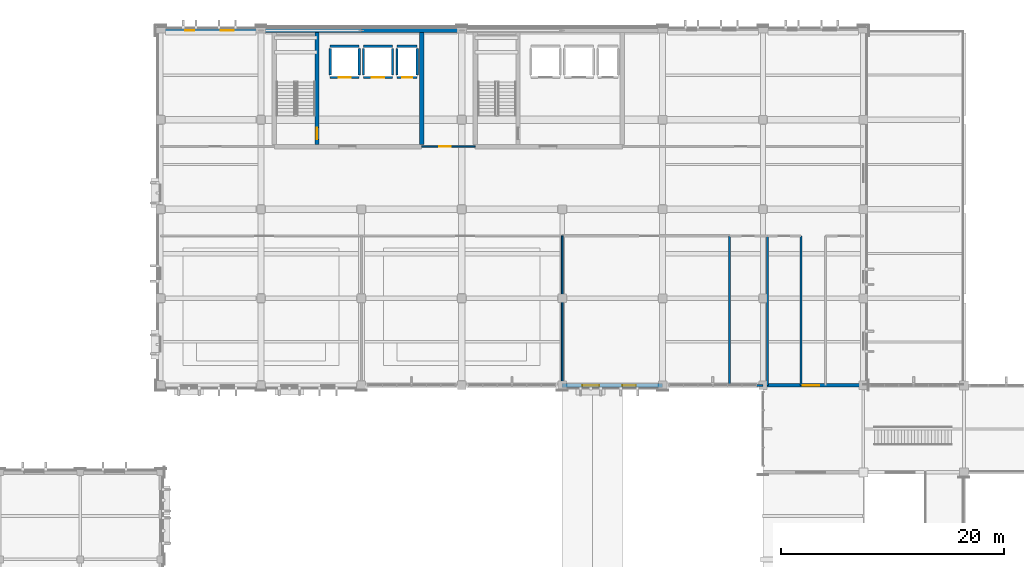
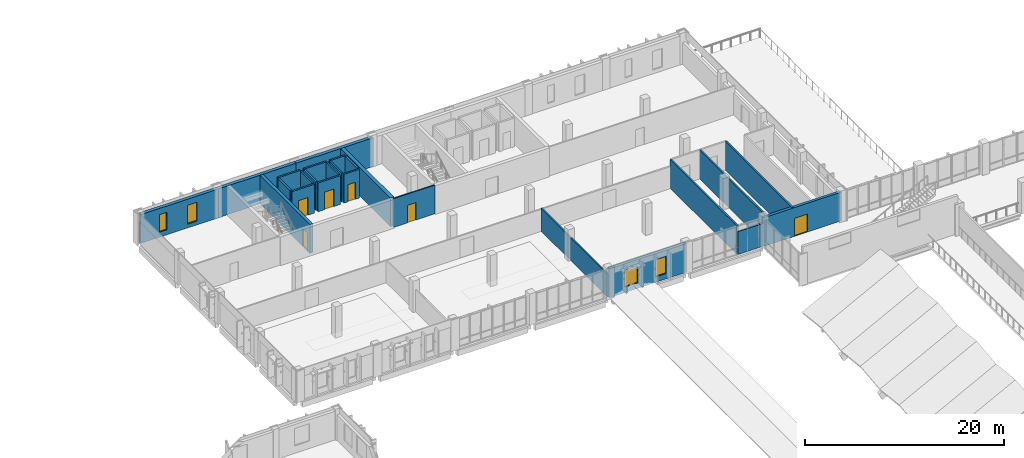
# One storey, part 43 of 64: 25 walls, 6 doors, 4 windows, 10 openings.
"""IFC4 building model written with IfcOpenShell, lengths in metres."""

from ifc_helpers import new_model, si_unit, direction, frame, frame_2d, origin, place, context, subcontext, project, spatial, rectangle, extrude, material, layer, layer_set, type_object, element, fill, save


model = new_model("IFC4")

# Units and contexts
model_context = context("Model", 3, precision=1e-05, world=origin(), true_north=direction((0.0, 1.0)))
body_context = subcontext(model_context, "Body", "Model", "MODEL_VIEW")
ifc_project = project(units=[si_unit("LENGTHUNIT", "METRE"), si_unit("AREAUNIT", "SQUARE_METRE"), si_unit("VOLUMEUNIT", "CUBIC_METRE"), si_unit("PLANEANGLEUNIT", "RADIAN"), si_unit("MASSUNIT", "GRAM", prefix="KILO")], contexts=[model_context])

# Site, building, storey
site_placement = place(None, origin())
site = spatial("IfcSite", under=ifc_project, at=site_placement, CompositionType="ELEMENT")
building_placement = place(site_placement, origin())
building = spatial("IfcBuilding", under=site, at=building_placement, Name="Vervanel Yard Central Library", CompositionType="ELEMENT")
storey_placement = place(building_placement, frame((0.0, 0.0, 8.93994140625)))
storey = spatial("IfcBuildingStorey", under=building, at=storey_placement, Name="L02", CompositionType="ELEMENT", Elevation=8.93994140625)

# Walls
ifc_material_1 = material(Name="Fire-rated gypsum board on steel studs", Category="steel")
ifc_layer_1 = layer(ifc_material_1, 0.159912109375, Category="steel")
ifc_layer_set_1 = layer_set([ifc_layer_1], Name="Fire-rated gypsum board on steel studs")
wall_type_1 = type_object("IfcWallType", Name="Acoustic Glazed Partition 160", PredefinedType="PARTITIONING", material=ifc_layer_set_1)
wall_1_placement = place(storey_placement, frame((72.0, 82.199951171875, 0.0), z_axis=(0.0, 0.0, 1.0), x_axis=(0.0, 1.0, 0.0)))
element("IfcWall", 1, at=wall_1_placement, inside=storey, type_object=wall_type_1, Name="L02 Acoustic Glazed Partition 160 IPART-L02-0075", PredefinedType="PARTITIONING", context=body_context, shape_type="SweptSolid", body=[
    extrude(rectangle(XDim=13.400146484375, YDim=0.159912109375, at=frame_2d((6.7001953125, 0.0))), origin(), (0.0, 0.0, 1.0), 2.80517578125),
])
ifc_material_2 = material(Name="Concrete C45/55", Category="concrete")
ifc_layer_2 = layer(ifc_material_2, 0.39990234375, Category="concrete")
ifc_layer_set_2 = layer_set([ifc_layer_2], Name="Concrete C45/55")
wall_type_2 = type_object("IfcWallType", Name="Core Primary Shear Wall 400", PredefinedType="SHEAR", material=ifc_layer_set_2)
wall_2_placement = place(storey_placement, frame((59.39990234375, 103.800048828125, 0.0), z_axis=(0.0, 0.0, 1.0), x_axis=(0.0, 1.0, 0.0)))
element("IfcWall", 2, at=wall_2_placement, inside=storey, type_object=wall_type_2, Name="L02 CORE-A Shear Wall E", PredefinedType="SHEAR", context=body_context, shape_type="SweptSolid", body=[
    extrude(rectangle(XDim=10.010009765625, YDim=0.39990234375, at=frame_2d((5.0048828125, 0.0))), origin(), (0.0, 0.0, 1.0), 3.530029296875),
])

# Wall, opening, door
ifc_layer_3 = layer(ifc_material_2, 0.35009765625, Category="concrete")
ifc_layer_set_3 = layer_set([ifc_layer_3], Name="Concrete C45/55")
wall_type_3 = type_object("IfcWallType", Name="Core Secondary Shear Wall 350", PredefinedType="SHEAR", material=ifc_layer_set_3)
wall_3_placement = place(storey_placement, frame((50.02490234375, 103.800048828125, 0.0), z_axis=(0.0, 0.0, 1.0), x_axis=(0.0, 1.0, 0.0)))
wall_3 = element("IfcWall", 3, at=wall_3_placement, inside=storey, type_object=wall_type_3, Name="L02 CORE-A Stair Shaft Wall", PredefinedType="SHEAR", context=body_context, shape_type="SweptSolid", body=[
    extrude(rectangle(XDim=10.010009765625, YDim=0.35009765625, at=frame_2d((5.0048828125, 0.0))), origin(), (0.0, 0.0, 1.0), 3.530029296875),
])
opening_1_placement = place(wall_3_placement, frame((0.449951171875, 0.0, 0.0)))
opening_1 = element("IfcOpeningElement", 4, at=opening_1_placement, cuts=wall_3, Name="Opening DR-F01", PredefinedType="OPENING", context=body_context, shape_type="SweptSolid", body=[
    extrude(rectangle(XDim=1.050048828125, YDim=2.199951171875, at=frame_2d((0.52490234375, 1.10009765625))), frame((0.0, 0.18505859375, 0.0), z_axis=(0.0, -1.0, 0.0), x_axis=(1.0, 0.0, 0.0)), (0.0, 0.0, 1.0), 0.3701171875),
])
ifc_material_3 = material(Name="Galvanized painted steelwork ASTM A500 Grade C", Category="steel")
door_type_1 = type_object("IfcDoorType", Name="Fire-Rated Stair Exit Door 1050x2200", OperationType="NOTDEFINED", PredefinedType="DOOR", material=ifc_material_3)
door_1_placement = place(opening_1_placement, origin())
door_1 = element("IfcDoor", 5, at=door_1_placement, inside=storey, type_object=door_type_1, Name="L02 CORE-A Stair Door", OperationType="SINGLE_SWING_LEFT", OverallHeight=2.199951171875, OverallWidth=1.050048828125, PredefinedType="DOOR", context=body_context, shape_type="SweptSolid", body=[
    extrude(rectangle(XDim=1.050048828125, YDim=2.199951171875, at=frame_2d((0.52490234375, 1.10009765625))), frame((0.0, 0.02490234375, 0.0), z_axis=(0.0, -1.0, 0.0), x_axis=(1.0, 0.0, 0.0)), (0.0, 0.0, 1.0), 0.050048828125),
])
fill(opening_1, door_1)

# Wall, openings, windows
ifc_layer_4 = layer(ifc_material_2, 0.340087890625, Category="concrete")
ifc_layer_set_4 = layer_set([ifc_layer_4], Name="Concrete C45/55")
wall_type_4 = type_object("IfcWallType", Name="Exterior Bearing Concrete Frame Wall 340", PredefinedType="SOLIDWALL", material=ifc_layer_set_4)
wall_4_placement = place(storey_placement, frame((72.0, 82.199951171875, 0.0), z_axis=(0.0, 0.0, 1.0), x_axis=(1.0, 0.0, 0.0)))
wall_4 = element("IfcWall", 6, at=wall_4_placement, inside=storey, type_object=wall_type_4, Name="L02 Exterior Bearing Concrete Frame Wall 340 EWALL-L02-0041", PredefinedType="SOLIDWALL", context=body_context, shape_type="SweptSolid", body=[
    extrude(rectangle(XDim=9.0, YDim=0.340087890625, at=frame_2d((4.5, 0.0))), origin(), (0.0, 0.0, 1.0), 3.530029296875),
])
opening_2_placement = place(wall_4_placement, frame((1.800048828125, 0.0, 0.6650390625)))
opening_2 = element("IfcOpeningElement", 7, at=opening_2_placement, cuts=wall_4, Name="Opening WN-02", PredefinedType="OPENING", context=body_context, shape_type="SweptSolid", body=[
    extrude(rectangle(XDim=1.5, YDim=2.10009765625, at=frame_2d((0.75, 1.050048828125))), frame((0.0, 0.179931640625, 0.0), z_axis=(0.0, -1.0, 0.0), x_axis=(1.0, 0.0, 0.0)), (0.0, 0.0, 1.0), 0.360107421875),
])
opening_3_placement = place(wall_4_placement, frame((5.39990234375, 0.0, 0.6650390625)))
opening_3 = element("IfcOpeningElement", 8, at=opening_3_placement, cuts=wall_4, Name="Opening WN-01", PredefinedType="OPENING", context=body_context, shape_type="SweptSolid", body=[
    extrude(rectangle(XDim=1.199951171875, YDim=2.10009765625, at=frame_2d((0.60009765625, 1.050048828125))), frame((0.0, 0.179931640625, 0.0), z_axis=(0.0, -1.0, 0.0), x_axis=(1.0, 0.0, 0.0)), (0.0, 0.0, 1.0), 0.360107421875),
])
ifc_material_4 = material(Name="Double low-E laminated solar-control glass", Category="glass")
window_type_1 = type_object("IfcWindowType", Name="Reading Bay Window 1500x2100", PartitioningType="SINGLE_PANEL", PredefinedType="WINDOW", material=ifc_material_4)
window_1_placement = place(opening_2_placement, origin())
window_1 = element("IfcWindow", 9, at=window_1_placement, inside=storey, type_object=window_type_1, Name="L02 Reading Bay Window 1500x2100 55", OverallHeight=2.10009765625, OverallWidth=1.5, PartitioningType="SINGLE_PANEL", PredefinedType="WINDOW", context=body_context, shape_type="SweptSolid", body=[
    extrude(rectangle(XDim=1.5, YDim=2.10009765625, at=frame_2d((0.75, 1.050048828125))), frame((0.0, 0.030029296875, 0.0), z_axis=(0.0, -1.0, 0.0), x_axis=(1.0, 0.0, 0.0)), (0.0, 0.0, 1.0), 0.06005859375),
])
fill(opening_2, window_1)
window_type_2 = type_object("IfcWindowType", Name="Reading Slot Window 1200x2100", PartitioningType="SINGLE_PANEL", PredefinedType="WINDOW", material=ifc_material_4)
window_2_placement = place(opening_3_placement, origin())
window_2 = element("IfcWindow", 10, at=window_2_placement, inside=storey, type_object=window_type_2, Name="L02 Reading Slot Window 1200x2100 56", OverallHeight=2.10009765625, OverallWidth=1.199951171875, PartitioningType="SINGLE_PANEL", PredefinedType="WINDOW", context=body_context, shape_type="SweptSolid", body=[
    extrude(rectangle(XDim=1.199951171875, YDim=2.10009765625, at=frame_2d((0.60009765625, 1.050048828125))), frame((0.0, 0.030029296875, 0.0), z_axis=(0.0, -1.0, 0.0), x_axis=(1.0, 0.0, 0.0)), (0.0, 0.0, 1.0), 0.06005859375),
])
fill(opening_3, window_2)

ifc_layer_5 = layer(ifc_material_2, 0.3798828125, Category="concrete")
ifc_layer_set_5 = layer_set([ifc_layer_5], Name="Concrete C45/55")
wall_type_5 = type_object("IfcWallType", Name="Exterior Bearing Concrete Spine Wall 380", PredefinedType="SOLIDWALL", material=ifc_layer_set_5)
wall_5_placement = place(storey_placement, frame((36.0, 114.0, 0.0), z_axis=(0.0, 0.0, 1.0), x_axis=(1.0, 0.0, 0.0)))
wall_5 = element("IfcWall", 11, at=wall_5_placement, inside=storey, type_object=wall_type_5, Name="L02 Exterior Bearing Concrete Spine Wall 380 EWALL-L02-0032", PredefinedType="SOLIDWALL", context=body_context, shape_type="SweptSolid", body=[
    extrude(rectangle(XDim=9.0, YDim=0.3798828125, at=frame_2d((4.5, 0.0))), origin(), (0.0, 0.0, 1.0), 3.530029296875),
])
opening_4_placement = place(wall_5_placement, frame((2.199951171875, 0.0, 0.614990234375)))
opening_4 = element("IfcOpeningElement", 12, at=opening_4_placement, cuts=wall_5, Name="Opening WN-21", PredefinedType="OPENING", context=body_context, shape_type="SweptSolid", body=[
    extrude(rectangle(XDim=0.820068359375, YDim=2.14990234375, at=frame_2d((0.41015625, 1.074951171875))), frame((0.0, 0.199951171875, 0.0), z_axis=(0.0, -1.0, 0.0), x_axis=(1.0, 0.0, 0.0)), (0.0, 0.0, 1.0), 0.39990234375),
])
opening_5_placement = place(wall_5_placement, frame((5.39990234375, 0.0, 0.465087890625)))
opening_5 = element("IfcOpeningElement", 13, at=opening_5_placement, cuts=wall_5, Name="Opening WN-19", PredefinedType="OPENING", context=body_context, shape_type="SweptSolid", body=[
    extrude(rectangle(XDim=1.14990234375, YDim=2.300048828125, at=frame_2d((0.574951171875, 1.14990234375))), frame((0.0, 0.199951171875, 0.0), z_axis=(0.0, -1.0, 0.0), x_axis=(1.0, 0.0, 0.0)), (0.0, 0.0, 1.0), 0.39990234375),
])
window_type_3 = type_object("IfcWindowType", Name="Reading Tall Slot Window 1150x2300", PartitioningType="SINGLE_PANEL", PredefinedType="WINDOW", material=ifc_material_4)
window_3_placement = place(opening_5_placement, origin())
window_3 = element("IfcWindow", 14, at=window_3_placement, inside=storey, type_object=window_type_3, Name="L02 Reading Tall Slot Window 1150x2300 46", OverallHeight=2.300048828125, OverallWidth=1.14990234375, PartitioningType="SINGLE_PANEL", PredefinedType="WINDOW", context=body_context, shape_type="SweptSolid", body=[
    extrude(rectangle(XDim=1.14990234375, YDim=2.300048828125, at=frame_2d((0.574951171875, 1.14990234375))), frame((0.0, 0.030029296875, 0.0), z_axis=(0.0, -1.0, 0.0), x_axis=(1.0, 0.0, 0.0)), (0.0, 0.0, 1.0), 0.06005859375),
])
fill(opening_5, window_3)
window_type_4 = type_object("IfcWindowType", Name="Stack UV Slot Window 820x2150", PartitioningType="SINGLE_PANEL", PredefinedType="WINDOW", material=ifc_material_4)
window_4_placement = place(opening_4_placement, origin())
window_4 = element("IfcWindow", 15, at=window_4_placement, inside=storey, type_object=window_type_4, Name="L02 Stack UV Slot Window 820x2150 45", OverallHeight=2.14990234375, OverallWidth=0.820068359375, PartitioningType="SINGLE_PANEL", PredefinedType="WINDOW", context=body_context, shape_type="SweptSolid", body=[
    extrude(rectangle(XDim=0.820068359375, YDim=2.14990234375, at=frame_2d((0.41015625, 1.074951171875))), frame((0.0, 0.030029296875, 0.0), z_axis=(0.0, -1.0, 0.0), x_axis=(1.0, 0.0, 0.0)), (0.0, 0.0, 1.0), 0.06005859375),
])
fill(opening_4, window_4)

# Walls
for number, where, z_axis, x_axis, name in (
    (16, (45.0, 114.0, 0.0), (0.0, 0.0, 1.0), (1.0, 0.0, 0.0), "L02 Exterior Bearing Concrete Spine Wall 380 EWALL-L02-0033"),
    (17, (54.0, 114.0, 0.0), (0.0, 0.0, 1.0), (1.0, 0.0, 0.0), "L02 Exterior Bearing Concrete Spine Wall 380 EWALL-L02-0034"),
):
    element("IfcWall", number, at=place(storey_placement, frame(where, z_axis=z_axis, x_axis=x_axis)), inside=storey, type_object=wall_type_5, Name=name, PredefinedType="SOLIDWALL", context=body_context, shape_type="SweptSolid", body=[
        extrude(rectangle(XDim=9.0, YDim=0.3798828125, at=frame_2d((4.5, 0.0))), origin(), (0.0, 0.0, 1.0), 3.530029296875),
    ])

# Wall, opening, door
ifc_layer_6 = layer(ifc_material_1, 0.14990234375, Category="steel")
ifc_layer_set_6 = layer_set([ifc_layer_6], Name="Fire-rated gypsum board on steel studs")
wall_type_6 = type_object("IfcWallType", Name="Interior Partition 150", PredefinedType="PARTITIONING", material=ifc_layer_set_6)
wall_6_placement = place(storey_placement, frame((59.39990234375, 103.60009765625, 0.0), z_axis=(0.0, 0.0, 1.0), x_axis=(1.0, 0.0, 0.0)))
wall_6 = element("IfcWall", 18, at=wall_6_placement, inside=storey, type_object=wall_type_6, Name="L02 Interior Partition 150 IPART-L02-0084", PredefinedType="PARTITIONING", context=body_context, shape_type="SweptSolid", body=[
    extrude(rectangle(XDim=4.800048828125, YDim=0.14990234375, at=frame_2d((2.39990234375, 0.0))), origin(), (0.0, 0.0, 1.0), 3.530029296875),
])
opening_6_placement = place(wall_6_placement, frame((1.60009765625, 0.0, 0.0)))
opening_6 = element("IfcOpeningElement", 19, at=opening_6_placement, cuts=wall_6, Name="Opening DR-01", PredefinedType="OPENING", context=body_context, shape_type="SweptSolid", body=[
    extrude(rectangle(XDim=1.0, YDim=2.14990234375, at=frame_2d((0.5, 1.074951171875))), frame((0.0, 0.0849609375, 0.0), z_axis=(0.0, -1.0, 0.0), x_axis=(1.0, 0.0, 0.0)), (0.0, 0.0, 1.0), 0.169921875),
])
ifc_material_5 = material(Name="Solid white oak acoustic joinery", Category="wood")
door_type_2 = type_object("IfcDoorType", Name="Interior Single Door 1000x2150", OperationType="NOTDEFINED", PredefinedType="DOOR", material=ifc_material_5)
door_2_placement = place(opening_6_placement, origin())
door_2 = element("IfcDoor", 20, at=door_2_placement, inside=storey, type_object=door_type_2, Name="L02 Interior Single Door 1000x2150 IDOOR-L02-0065", OperationType="SINGLE_SWING_RIGHT", OverallHeight=2.14990234375, OverallWidth=1.0, PredefinedType="DOOR", context=body_context, shape_type="SweptSolid", body=[
    extrude(rectangle(XDim=1.0, YDim=2.14990234375, at=frame_2d((0.5, 1.074951171875))), frame((0.0, 0.02490234375, 0.0), z_axis=(0.0, -1.0, 0.0), x_axis=(1.0, 0.0, 0.0)), (0.0, 0.0, 1.0), 0.050048828125),
])
fill(opening_6, door_2)

# Walls
ifc_layer_7 = layer(ifc_material_1, 0.179931640625, Category="steel")
ifc_layer_set_7 = layer_set([ifc_layer_7], Name="Fire-rated gypsum board on steel studs")
wall_type_7 = type_object("IfcWallType", Name="Plumbing Chase Wall 180", PredefinedType="PLUMBINGWALL", material=ifc_layer_set_7)
for number, where, z_axis, x_axis, name in (
    (21, (87.0, 82.199951171875, 0.0), (0.0, 0.0, 1.0), (0.0, 1.0, 0.0), "L02 Plumbing Chase Wall 180 IPART-L02-0077"),
    (22, (90.39990234375, 82.199951171875, 0.0), (0.0, 0.0, 1.0), (0.0, 1.0, 0.0), "L02 Plumbing Chase Wall 180 IPART-L02-0079"),
    (23, (93.39990234375, 82.199951171875, 0.0), (0.0, 0.0, 1.0), (0.0, 1.0, 0.0), "L02 Plumbing Chase Wall 180 IPART-L02-0080"),
):
    element("IfcWall", number, at=place(storey_placement, frame(where, z_axis=z_axis, x_axis=x_axis)), inside=storey, type_object=wall_type_7, Name=name, PredefinedType="PLUMBINGWALL", context=body_context, shape_type="SweptSolid", body=[
        extrude(rectangle(XDim=13.400146484375, YDim=0.179931640625, at=frame_2d((6.7001953125, 0.0))), origin(), (0.0, 0.0, 1.0), 3.530029296875),
    ])
wall_7_placement = place(storey_placement, frame((87.0, 82.199951171875, 0.0), z_axis=(0.0, 0.0, 1.0), x_axis=(1.0, 0.0, 0.0)))
element("IfcWall", 24, at=wall_7_placement, inside=storey, type_object=wall_type_7, Name="L02 Plumbing Chase Wall 180 IPART-RC2-L02-WCM", PredefinedType="PLUMBINGWALL", context=body_context, shape_type="SweptSolid", body=[
    extrude(rectangle(XDim=3.0, YDim=0.179931640625, at=frame_2d((1.5, 0.0))), origin(), (0.0, 0.0, 1.0), 2.80517578125),
])

# Wall, opening, door
ifc_material_6 = material(Name="Concrete C40/50", Category="concrete")
ifc_layer_8 = layer(ifc_material_6, 0.199951171875, Category="concrete")
ifc_layer_set_8 = layer_set([ifc_layer_8], Name="Concrete C40/50")
wall_type_8 = type_object("IfcWallType", Name="Shaft & Plant Rated Wall 200", PredefinedType="PARTITIONING", material=ifc_layer_set_8)
wall_8_placement = place(storey_placement, frame((51.199951171875, 109.800048828125, 0.0), z_axis=(0.0, 0.0, 1.0), x_axis=(1.0, 0.0, 0.0)))
wall_8 = element("IfcWall", 25, at=wall_8_placement, inside=storey, type_object=wall_type_8, Name="L02 CORE-A-L02-EL-01 Shaft Wall S", PredefinedType="PARTITIONING", context=body_context, shape_type="SweptSolid", body=[
    extrude(rectangle(XDim=2.60009765625, YDim=0.199951171875, at=frame_2d((1.300048828125, 0.0))), origin(), (0.0, 0.0, 1.0), 3.530029296875),
])
opening_7_placement = place(wall_8_placement, frame((0.75, 0.0, 0.0)))
opening_7 = element("IfcOpeningElement", 26, at=opening_7_placement, cuts=wall_8, Name="Opening LD-01", PredefinedType="OPENING", context=body_context, shape_type="SweptSolid", body=[
    extrude(rectangle(XDim=1.10009765625, YDim=2.14990234375, at=frame_2d((0.550048828125, 1.074951171875))), frame((0.0, 0.10986328125, 0.0), z_axis=(0.0, -1.0, 0.0), x_axis=(1.0, 0.0, 0.0)), (0.0, 0.0, 1.0), 0.219970703125),
])
ifc_material_7 = material(Name="Brushed stainless steel AISI 316", Category="steel")
door_type_3 = type_object("IfcDoorType", Name="Passenger Lift Sliding Landing Door 1100x2150", OperationType="NOTDEFINED", PredefinedType="DOOR", material=ifc_material_7)
door_3_placement = place(opening_7_placement, origin())
door_3 = element("IfcDoor", 27, at=door_3_placement, inside=storey, type_object=door_type_3, Name="L02 Lift EL-01 Landing Door", OperationType="SLIDING_TO_LEFT", OverallHeight=2.14990234375, OverallWidth=1.10009765625, PredefinedType="DOOR", context=body_context, shape_type="SweptSolid", body=[
    extrude(rectangle(XDim=1.10009765625, YDim=2.14990234375, at=frame_2d((0.550048828125, 1.074951171875))), frame((0.0, 0.02490234375, 0.0), z_axis=(0.0, -1.0, 0.0), x_axis=(1.0, 0.0, 0.0)), (0.0, 0.0, 1.0), 0.050048828125),
])
fill(opening_7, door_3)

# Walls
wall_9_placement = place(storey_placement, frame((51.199951171875, 112.60009765625, 0.0), z_axis=(0.0, 0.0, 1.0), x_axis=(1.0, 0.0, 0.0)))
element("IfcWall", 28, at=wall_9_placement, inside=storey, type_object=wall_type_8, Name="L02 CORE-A-L02-EL-01 Shaft Wall N", PredefinedType="PARTITIONING", context=body_context, shape_type="SweptSolid", body=[
    extrude(rectangle(XDim=2.60009765625, YDim=0.199951171875, at=frame_2d((1.300048828125, 0.0))), origin(), (0.0, 0.0, 1.0), 3.530029296875),
])
for number, where, z_axis, x_axis, name in (
    (29, (51.199951171875, 110.0, 0.0), (0.0, 0.0, 1.0), (0.0, 1.0, 0.0), "L02 CORE-A-L02-EL-01 Shaft Wall W"),
    (30, (53.800048828125, 110.0, 0.0), (0.0, 0.0, 1.0), (0.0, 1.0, 0.0), "L02 CORE-A-L02-EL-01 Shaft Wall E"),
):
    element("IfcWall", number, at=place(storey_placement, frame(where, z_axis=z_axis, x_axis=x_axis)), inside=storey, type_object=wall_type_8, Name=name, PredefinedType="PARTITIONING", context=body_context, shape_type="SweptSolid", body=[
        extrude(rectangle(XDim=2.39990234375, YDim=0.199951171875, at=frame_2d((1.199951171875, 0.0))), origin(), (0.0, 0.0, 1.0), 3.530029296875),
    ])

# Wall, opening, door
wall_10_placement = place(storey_placement, frame((54.199951171875, 109.800048828125, 0.0), z_axis=(0.0, 0.0, 1.0), x_axis=(1.0, 0.0, 0.0)))
wall_10 = element("IfcWall", 31, at=wall_10_placement, inside=storey, type_object=wall_type_8, Name="L02 CORE-A-L02-EL-02 Shaft Wall S", PredefinedType="PARTITIONING", context=body_context, shape_type="SweptSolid", body=[
    extrude(rectangle(XDim=2.60009765625, YDim=0.199951171875, at=frame_2d((1.300048828125, 0.0))), origin(), (0.0, 0.0, 1.0), 3.530029296875),
])
opening_8_placement = place(wall_10_placement, frame((0.75, 0.0, 0.0)))
opening_8 = element("IfcOpeningElement", 32, at=opening_8_placement, cuts=wall_10, Name="Opening LD-01", PredefinedType="OPENING", context=body_context, shape_type="SweptSolid", body=[
    extrude(rectangle(XDim=1.10009765625, YDim=2.14990234375, at=frame_2d((0.550048828125, 1.074951171875))), frame((0.0, 0.10986328125, 0.0), z_axis=(0.0, -1.0, 0.0), x_axis=(1.0, 0.0, 0.0)), (0.0, 0.0, 1.0), 0.219970703125),
])
door_4_placement = place(opening_8_placement, origin())
door_4 = element("IfcDoor", 33, at=door_4_placement, inside=storey, type_object=door_type_3, Name="L02 Lift EL-02 Landing Door", OperationType="SLIDING_TO_RIGHT", OverallHeight=2.14990234375, OverallWidth=1.10009765625, PredefinedType="DOOR", context=body_context, shape_type="SweptSolid", body=[
    extrude(rectangle(XDim=1.10009765625, YDim=2.14990234375, at=frame_2d((0.550048828125, 1.074951171875))), frame((0.0, 0.02490234375, 0.0), z_axis=(0.0, -1.0, 0.0), x_axis=(1.0, 0.0, 0.0)), (0.0, 0.0, 1.0), 0.050048828125),
])
fill(opening_8, door_4)

# Walls
wall_11_placement = place(storey_placement, frame((54.199951171875, 112.60009765625, 0.0), z_axis=(0.0, 0.0, 1.0), x_axis=(1.0, 0.0, 0.0)))
element("IfcWall", 34, at=wall_11_placement, inside=storey, type_object=wall_type_8, Name="L02 CORE-A-L02-EL-02 Shaft Wall N", PredefinedType="PARTITIONING", context=body_context, shape_type="SweptSolid", body=[
    extrude(rectangle(XDim=2.60009765625, YDim=0.199951171875, at=frame_2d((1.300048828125, 0.0))), origin(), (0.0, 0.0, 1.0), 3.530029296875),
])
for number, where, z_axis, x_axis, name in (
    (35, (54.199951171875, 110.0, 0.0), (0.0, 0.0, 1.0), (0.0, 1.0, 0.0), "L02 CORE-A-L02-EL-02 Shaft Wall W"),
    (36, (56.800048828125, 110.0, 0.0), (0.0, 0.0, 1.0), (0.0, 1.0, 0.0), "L02 CORE-A-L02-EL-02 Shaft Wall E"),
):
    element("IfcWall", number, at=place(storey_placement, frame(where, z_axis=z_axis, x_axis=x_axis)), inside=storey, type_object=wall_type_8, Name=name, PredefinedType="PARTITIONING", context=body_context, shape_type="SweptSolid", body=[
        extrude(rectangle(XDim=2.39990234375, YDim=0.199951171875, at=frame_2d((1.199951171875, 0.0))), origin(), (0.0, 0.0, 1.0), 3.530029296875),
    ])

# Wall, opening, door
wall_12_placement = place(storey_placement, frame((57.199951171875, 109.800048828125, 0.0), z_axis=(0.0, 0.0, 1.0), x_axis=(1.0, 0.0, 0.0)))
wall_12 = element("IfcWall", 37, at=wall_12_placement, inside=storey, type_object=wall_type_8, Name="L02 CORE-A-L02-RIS Shaft Wall S", PredefinedType="PARTITIONING", context=body_context, shape_type="SweptSolid", body=[
    extrude(rectangle(XDim=1.800048828125, YDim=0.199951171875, at=frame_2d((0.89990234375, 0.0))), origin(), (0.0, 0.0, 1.0), 3.530029296875),
])
opening_9_placement = place(wall_12_placement, frame((0.449951171875, 0.0, 0.0)))
opening_9 = element("IfcOpeningElement", 38, at=opening_9_placement, cuts=wall_12, Name="Opening DR-03", PredefinedType="OPENING", context=body_context, shape_type="SweptSolid", body=[
    extrude(rectangle(XDim=0.89990234375, YDim=2.10009765625, at=frame_2d((0.449951171875, 1.050048828125))), frame((0.0, 0.10986328125, 0.0), z_axis=(0.0, -1.0, 0.0), x_axis=(1.0, 0.0, 0.0)), (0.0, 0.0, 1.0), 0.219970703125),
])
door_type_4 = type_object("IfcDoorType", Name="Interior Riser Access Door 900x2100", OperationType="NOTDEFINED", PredefinedType="DOOR", material=ifc_material_3)
door_5_placement = place(opening_9_placement, origin())
door_5 = element("IfcDoor", 39, at=door_5_placement, inside=storey, type_object=door_type_4, Name="L02 CORE-A Riser Access Door", OperationType="SINGLE_SWING_RIGHT", OverallHeight=2.10009765625, OverallWidth=0.89990234375, PredefinedType="DOOR", context=body_context, shape_type="SweptSolid", body=[
    extrude(rectangle(XDim=0.89990234375, YDim=2.10009765625, at=frame_2d((0.449951171875, 1.050048828125))), frame((0.0, 0.02490234375, 0.0), z_axis=(0.0, -1.0, 0.0), x_axis=(1.0, 0.0, 0.0)), (0.0, 0.0, 1.0), 0.050048828125),
])
fill(opening_9, door_5)

# Walls
wall_13_placement = place(storey_placement, frame((57.199951171875, 112.60009765625, 0.0), z_axis=(0.0, 0.0, 1.0), x_axis=(1.0, 0.0, 0.0)))
element("IfcWall", 40, at=wall_13_placement, inside=storey, type_object=wall_type_8, Name="L02 CORE-A-L02-RIS Shaft Wall N", PredefinedType="PARTITIONING", context=body_context, shape_type="SweptSolid", body=[
    extrude(rectangle(XDim=1.800048828125, YDim=0.199951171875, at=frame_2d((0.89990234375, 0.0))), origin(), (0.0, 0.0, 1.0), 3.530029296875),
])
for number, where, z_axis, x_axis, name in (
    (41, (57.199951171875, 110.0, 0.0), (0.0, 0.0, 1.0), (0.0, 1.0, 0.0), "L02 CORE-A-L02-RIS Shaft Wall W"),
    (42, (59.0, 110.0, 0.0), (0.0, 0.0, 1.0), (0.0, 1.0, 0.0), "L02 CORE-A-L02-RIS Shaft Wall E"),
):
    element("IfcWall", number, at=place(storey_placement, frame(where, z_axis=z_axis, x_axis=x_axis)), inside=storey, type_object=wall_type_8, Name=name, PredefinedType="PARTITIONING", context=body_context, shape_type="SweptSolid", body=[
        extrude(rectangle(XDim=2.39990234375, YDim=0.199951171875, at=frame_2d((1.199951171875, 0.0))), origin(), (0.0, 0.0, 1.0), 3.530029296875),
    ])

# Wall, opening, door
ifc_layer_9 = layer(ifc_material_2, 0.320068359375, Category="concrete")
ifc_layer_set_9 = layer_set([ifc_layer_9], Name="Concrete C45/55")
wall_type_9 = type_object("IfcWallType", Name="Spine Lateral Shear Wall 320", PredefinedType="SHEAR", material=ifc_layer_set_9)
wall_14_placement = place(storey_placement, frame((90.0, 82.199951171875, 0.0), z_axis=(0.0, 0.0, 1.0), x_axis=(1.0, 0.0, 0.0)))
wall_14 = element("IfcWall", 43, at=wall_14_placement, inside=storey, type_object=wall_type_9, Name="L02 V1-V3 Spine Shear Wall", PredefinedType="SHEAR", context=body_context, shape_type="SweptSolid", body=[
    extrude(rectangle(XDim=9.0, YDim=0.320068359375, at=frame_2d((4.5, 0.0))), origin(), (0.0, 0.0, 1.0), 3.530029296875),
])
opening_10_placement = place(wall_14_placement, frame((3.550048828125, 0.0, 0.0)))
opening_10 = element("IfcOpeningElement", 44, at=opening_10_placement, cuts=wall_14, Name="Opening DR-F02", PredefinedType="OPENING", context=body_context, shape_type="SweptSolid", body=[
    extrude(rectangle(XDim=1.5, YDim=2.199951171875, at=frame_2d((0.75, 1.10009765625))), frame((0.0, 0.169921875, 0.0), z_axis=(0.0, -1.0, 0.0), x_axis=(1.0, 0.0, 0.0)), (0.0, 0.0, 1.0), 0.340087890625),
])
door_type_5 = type_object("IfcDoorType", Name="Fire-Rated Lobby Door 1500x2200", OperationType="NOTDEFINED", PredefinedType="DOOR", material=ifc_material_3)
door_6_placement = place(opening_10_placement, origin())
door_6 = element("IfcDoor", 45, at=door_6_placement, inside=storey, type_object=door_type_5, Name="L02 Spine-to-Reading-Hall Fire Door", OperationType="DOUBLE_DOOR_SINGLE_SWING", OverallHeight=2.199951171875, OverallWidth=1.5, PredefinedType="DOOR", context=body_context, shape_type="SweptSolid", body=[
    extrude(rectangle(XDim=1.5, YDim=2.199951171875, at=frame_2d((0.75, 1.10009765625))), frame((0.0, 0.02490234375, 0.0), z_axis=(0.0, -1.0, 0.0), x_axis=(1.0, 0.0, 0.0)), (0.0, 0.0, 1.0), 0.050048828125),
])
fill(opening_10, door_6)

save(model, "model.ifc")
